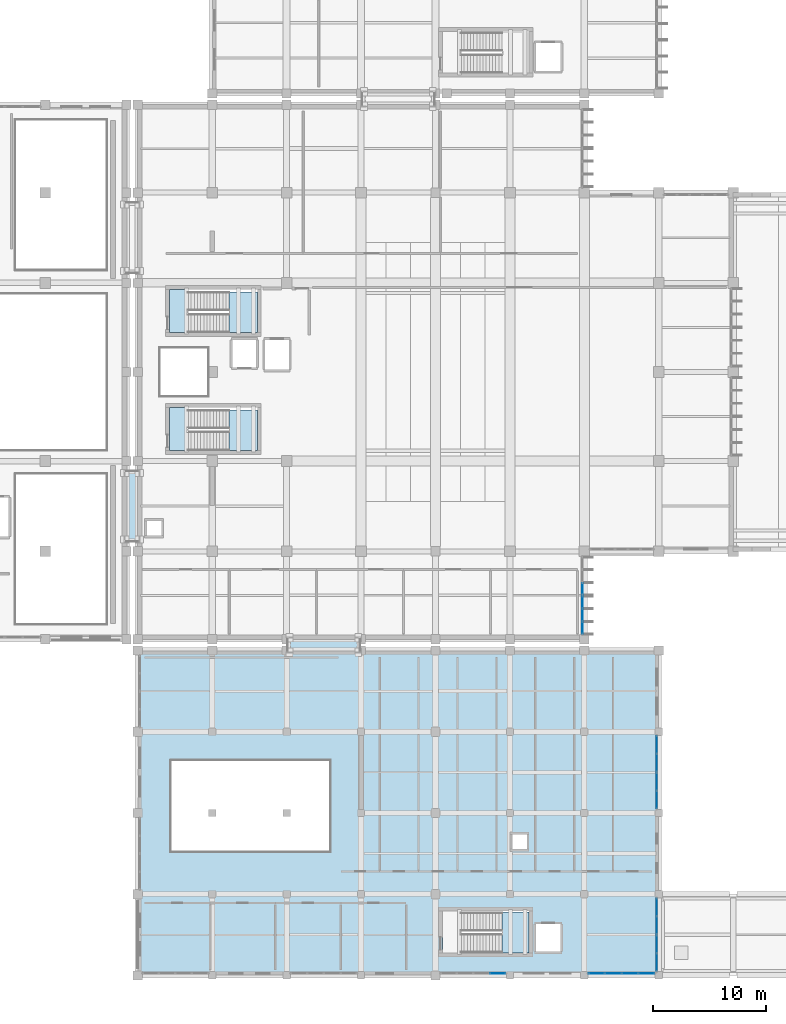
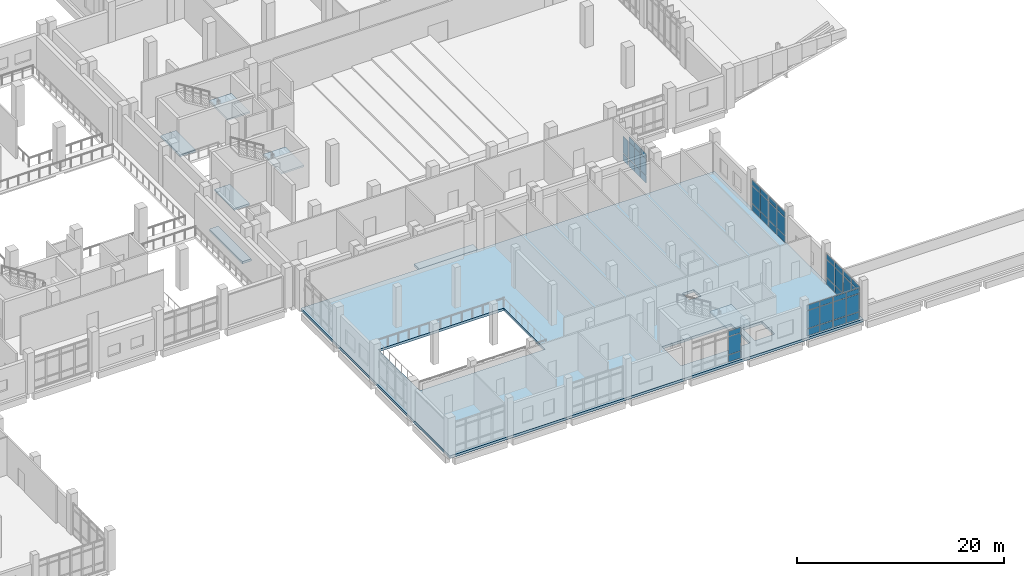
# One storey, part 52 of 90: 50 plates, 8 slabs, 11 elements without a shape of their own.
"""IFC4 building model written with IfcOpenShell, lengths in metres."""

from ifc_helpers import new_model, si_unit, direction, frame, origin, origin_2d, place, context, subcontext, project, spatial, polyline, rectangle, outline, extrude, material, layer, layer_set, type_object, element, aggregate, save


model = new_model("IFC4")

# Units and contexts
model_context = context("Model", 3, precision=1e-05, world=origin(), true_north=direction((0.0, 1.0)))
body_context = subcontext(model_context, "Body", "Model", "MODEL_VIEW")
ifc_project = project(units=[si_unit("LENGTHUNIT", "METRE"), si_unit("AREAUNIT", "SQUARE_METRE"), si_unit("VOLUMEUNIT", "CUBIC_METRE"), si_unit("PLANEANGLEUNIT", "RADIAN"), si_unit("MASSUNIT", "GRAM", prefix="KILO")], contexts=[model_context])

# Site, building, storey
site_placement = place(None, origin())
site = spatial("IfcSite", under=ifc_project, at=site_placement, CompositionType="ELEMENT")
building_placement = place(site_placement, origin())
building = spatial("IfcBuilding", under=site, at=building_placement, Name="Kelarvand Opera House", CompositionType="ELEMENT")
storey_placement = place(building_placement, frame((0.0, 0.0, 5.39990234375)))
storey = spatial("IfcBuildingStorey", under=building, at=storey_placement, Name="L01", CompositionType="ELEMENT", Elevation=5.39990234375)

# Curtain wall, plates
ifc_material_1 = material(Name="Thermally broken aluminium and low-E glazing", Category="aluminium")
ifc_layer_1 = layer(ifc_material_1, 0.219970703125, Name="Thermally broken aluminium and low-E glazing", Category="aluminium")
ifc_layer_set_1 = layer_set([ifc_layer_1], Name="Thermally broken aluminium and low-E glazing")
curtain_wall_type_1 = type_object("IfcCurtainWallType", Name="Unitised Low-E Curtain Wall 3444x3630 Mod 1150 CWF-02", PredefinedType="USERDEFINED", material=ifc_layer_set_1)
curtain_wall_1_placement = place(storey_placement, origin())
curtain_wall_1 = element("IfcCurtainWall", 1, at=curtain_wall_1_placement, inside=storey, type_object=curtain_wall_type_1, Name="V1 L01 Curtain Wall CWF-02 (13)", ObjectType="UNITISED CURTAIN WALL", PredefinedType="USERDEFINED")
ifc_material_2 = material(Name="Acoustic triple-laminated low-E glazing", Category="glass")
ifc_layer_2 = layer(ifc_material_2, 0.0400390625, Name="Acoustic triple-laminated low-E glazing", Category="glass")
ifc_layer_set_2 = layer_set([ifc_layer_2], Name="Acoustic triple-laminated low-E glazing")
plate_type_1 = type_object("IfcPlateType", Name="Acoustic Laminated Plaza Curtain Panel 40mm", PredefinedType="CURTAIN_PANEL", material=ifc_layer_set_2)
plate_1_placement = place(storey_placement, frame((128.419921875, 43.26416015625, 0.074951171875), z_axis=(0.0, 0.0, 1.0), x_axis=(0.0, -1.0, 0.0)))
plate_1 = element("IfcPlate", 2, at=plate_1_placement, type_object=plate_type_1, Name="CWF-02 panel 3.1", PredefinedType="CURTAIN_PANEL", context=body_context, shape_type="SweptSolid", body=[
    extrude(rectangle(XDim=1.035400390625, YDim=0.0400390625, at=origin_2d()), origin(), (0.0, 0.0, 1.0), 0.78759765625),
])
plate_2_placement = place(storey_placement, frame((128.419921875, 43.26416015625, 0.9375), z_axis=(0.0, 0.0, 1.0), x_axis=(0.0, -1.0, 0.0)))
plate_2 = element("IfcPlate", 3, at=plate_2_placement, type_object=plate_type_1, Name="CWF-02 panel 3.2", PredefinedType="CURTAIN_PANEL", context=body_context, shape_type="SweptSolid", body=[
    extrude(rectangle(XDim=1.035400390625, YDim=0.0400390625, at=origin_2d()), origin(), (0.0, 0.0, 1.0), 1.955078125),
])
aggregate(curtain_wall_1, [plate_1, plate_2])

curtain_wall_2_placement = place(storey_placement, origin())
curtain_wall_2 = element("IfcCurtainWall", 4, at=curtain_wall_2_placement, inside=storey, type_object=curtain_wall_type_1, Name="V1 L01 Curtain Wall CWF-02 (14)", ObjectType="UNITISED CURTAIN WALL", PredefinedType="USERDEFINED")
plate_3_placement = place(storey_placement, frame((128.419921875, 42.07421875, 0.074951171875), z_axis=(0.0, 0.0, 1.0), x_axis=(0.0, -1.0, 0.0)))
plate_3 = element("IfcPlate", 5, at=plate_3_placement, type_object=plate_type_1, Name="CWF-02 panel 1.1", PredefinedType="CURTAIN_PANEL", context=body_context, shape_type="SweptSolid", body=[
    extrude(rectangle(XDim=1.03662109375, YDim=0.0400390625, at=origin_2d()), origin(), (0.0, 0.0, 1.0), 0.78759765625),
])
plate_4_placement = place(storey_placement, frame((128.419921875, 42.07421875, 0.9375), z_axis=(0.0, 0.0, 1.0), x_axis=(0.0, -1.0, 0.0)))
plate_4 = element("IfcPlate", 6, at=plate_4_placement, type_object=plate_type_1, Name="CWF-02 panel 1.2", PredefinedType="CURTAIN_PANEL", context=body_context, shape_type="SweptSolid", body=[
    extrude(rectangle(XDim=1.03662109375, YDim=0.0400390625, at=origin_2d()), origin(), (0.0, 0.0, 1.0), 1.955078125),
])
plate_5_placement = place(storey_placement, frame((128.419921875, 42.07421875, 2.967529296875), z_axis=(0.0, 0.0, 1.0), x_axis=(0.0, -1.0, 0.0)))
plate_5 = element("IfcPlate", 7, at=plate_5_placement, type_object=plate_type_1, Name="CWF-02 panel 1.3", PredefinedType="CURTAIN_PANEL", context=body_context, shape_type="SweptSolid", body=[
    extrude(rectangle(XDim=1.03662109375, YDim=0.0400390625, at=origin_2d()), origin(), (0.0, 0.0, 1.0), 0.58740234375),
])
plate_6_placement = place(storey_placement, frame((128.419921875, 40.94384765625, 0.074951171875), z_axis=(0.0, 0.0, 1.0), x_axis=(0.0, -1.0, 0.0)))
plate_6 = element("IfcPlate", 8, at=plate_6_placement, type_object=plate_type_1, Name="CWF-02 panel 2.1", PredefinedType="CURTAIN_PANEL", context=body_context, shape_type="SweptSolid", body=[
    extrude(rectangle(XDim=1.07421875, YDim=0.0400390625, at=origin_2d()), origin(), (0.0, 0.0, 1.0), 0.78759765625),
])
plate_7_placement = place(storey_placement, frame((128.419921875, 40.94384765625, 0.9375), z_axis=(0.0, 0.0, 1.0), x_axis=(0.0, -1.0, 0.0)))
plate_7 = element("IfcPlate", 9, at=plate_7_placement, type_object=plate_type_1, Name="CWF-02 panel 2.2", PredefinedType="CURTAIN_PANEL", context=body_context, shape_type="SweptSolid", body=[
    extrude(rectangle(XDim=1.07421875, YDim=0.0400390625, at=origin_2d()), origin(), (0.0, 0.0, 1.0), 1.955078125),
])
plate_8_placement = place(storey_placement, frame((128.419921875, 40.94384765625, 2.967529296875), z_axis=(0.0, 0.0, 1.0), x_axis=(0.0, -1.0, 0.0)))
plate_8 = element("IfcPlate", 10, at=plate_8_placement, type_object=plate_type_1, Name="CWF-02 panel 2.3", PredefinedType="CURTAIN_PANEL", context=body_context, shape_type="SweptSolid", body=[
    extrude(rectangle(XDim=1.07421875, YDim=0.0400390625, at=origin_2d()), origin(), (0.0, 0.0, 1.0), 0.58740234375),
])
plate_9_placement = place(storey_placement, frame((128.419921875, 39.813232421875, 0.074951171875), z_axis=(0.0, 0.0, 1.0), x_axis=(0.0, -1.0, 0.0)))
plate_9 = element("IfcPlate", 11, at=plate_9_placement, type_object=plate_type_1, Name="CWF-02 panel 3.1", PredefinedType="CURTAIN_PANEL", context=body_context, shape_type="SweptSolid", body=[
    extrude(rectangle(XDim=1.03662109375, YDim=0.0400390625, at=origin_2d()), origin(), (0.0, 0.0, 1.0), 0.78759765625),
])
plate_10_placement = place(storey_placement, frame((128.419921875, 39.813232421875, 0.9375), z_axis=(0.0, 0.0, 1.0), x_axis=(0.0, -1.0, 0.0)))
plate_10 = element("IfcPlate", 12, at=plate_10_placement, type_object=plate_type_1, Name="CWF-02 panel 3.2", PredefinedType="CURTAIN_PANEL", context=body_context, shape_type="SweptSolid", body=[
    extrude(rectangle(XDim=1.03662109375, YDim=0.0400390625, at=origin_2d()), origin(), (0.0, 0.0, 1.0), 1.955078125),
])
plate_11_placement = place(storey_placement, frame((128.419921875, 39.813232421875, 2.967529296875), z_axis=(0.0, 0.0, 1.0), x_axis=(0.0, -1.0, 0.0)))
plate_11 = element("IfcPlate", 13, at=plate_11_placement, type_object=plate_type_1, Name="CWF-02 panel 3.3", PredefinedType="CURTAIN_PANEL", context=body_context, shape_type="SweptSolid", body=[
    extrude(rectangle(XDim=1.03662109375, YDim=0.0400390625, at=origin_2d()), origin(), (0.0, 0.0, 1.0), 0.58740234375),
])
aggregate(curtain_wall_2, [plate_3, plate_4, plate_5, plate_6, plate_7, plate_8, plate_9, plate_10, plate_11])

# Slabs
ifc_material_3 = material(Name="Concrete C35/45", Category="concrete")
ifc_layer_3 = layer(ifc_material_3, 0.219970703125, Name="Concrete C35/45", Category="concrete")
ifc_layer_set_3 = layer_set([ifc_layer_3], Name="Concrete C35/45")
slab_type_1 = type_object("IfcSlabType", Name="Core Stair Entry Landing Slab 220", PredefinedType="LANDING", material=ifc_layer_set_3)
slab_1_placement = place(storey_placement, frame((0.0, 0.0, -0.219970703125)))
element("IfcSlab", 14, at=slab_1_placement, inside=storey, type_object=slab_type_1, Name="C1 Stair Entry Landing L01", PredefinedType="LANDING", context=body_context, shape_type="SweptSolid", body=[
    extrude(outline(polyline([(91.800048828125, 66.0), (93.52001953125, 66.0), (93.52001953125, 69.800048828125), (91.800048828125, 69.800048828125), (91.800048828125, 66.0)])), origin(), (0.0, 0.0, 1.0), 0.219970703125),
])
slab_2_placement = place(storey_placement, frame((0.0, 0.0, -0.219970703125)))
element("IfcSlab", 15, at=slab_2_placement, inside=storey, type_object=slab_type_1, Name="C4 Stair Entry Landing L01", PredefinedType="LANDING", context=body_context, shape_type="SweptSolid", body=[
    extrude(outline(polyline([(91.800048828125, 55.550048828125), (93.52001953125, 55.550048828125), (93.52001953125, 59.35009765625), (91.800048828125, 59.35009765625), (91.800048828125, 55.550048828125)])), origin(), (0.0, 0.0, 1.0), 0.219970703125),
])

# Curtain wall, plates
ifc_layer_4 = layer(ifc_material_1, 0.179931640625, Name="Thermally broken aluminium and low-E glazing", Category="aluminium")
ifc_layer_set_4 = layer_set([ifc_layer_4], Name="Thermally broken aluminium and low-E glazing")
curtain_wall_type_2 = type_object("IfcCurtainWallType", Name="Unitised Low-E Curtain Wall 3261x3750 Mod 1350 CWF-26", PredefinedType="USERDEFINED", material=ifc_layer_set_4)
curtain_wall_3_placement = place(storey_placement, origin())
curtain_wall_3 = element("IfcCurtainWall", 16, at=curtain_wall_3_placement, inside=storey, type_object=curtain_wall_type_2, Name="V6 L01 Curtain Wall CWF-26 (205)", ObjectType="UNITISED CURTAIN WALL", PredefinedType="USERDEFINED")
ifc_material_4 = material(Name="Low-E laminated double glazing", Category="glass")
ifc_layer_5 = layer(ifc_material_4, 0.031982421875, Name="Low-E laminated double glazing", Category="glass")
ifc_layer_set_5 = layer_set([ifc_layer_5], Name="Low-E laminated double glazing")
plate_type_2 = type_object("IfcPlateType", Name="Low-E Argon Double Glazed Curtain Panel 32mm", PredefinedType="CURTAIN_PANEL", material=ifc_layer_set_5)
plate_12_placement = place(storey_placement, frame((135.02001953125, 29.43359375, 0.06494140625), z_axis=(0.0, 0.0, 1.0), x_axis=(0.0, -1.0, 0.0)))
plate_12 = element("IfcPlate", 17, at=plate_12_placement, type_object=plate_type_2, Name="CWF-26 panel 1.1", PredefinedType="CURTAIN_PANEL", context=body_context, shape_type="SweptSolid", body=[
    extrude(rectangle(XDim=1.532958984375, YDim=0.031982421875, at=origin_2d()), origin(), (0.0, 0.0, 1.0), 0.802490234375),
])
plate_13_placement = place(storey_placement, frame((135.02001953125, 29.43359375, 0.9326171875), z_axis=(0.0, 0.0, 1.0), x_axis=(0.0, -1.0, 0.0)))
plate_13 = element("IfcPlate", 18, at=plate_13_placement, type_object=plate_type_2, Name="CWF-26 panel 1.2", PredefinedType="CURTAIN_PANEL", context=body_context, shape_type="SweptSolid", body=[
    extrude(rectangle(XDim=1.532958984375, YDim=0.031982421875, at=origin_2d()), origin(), (0.0, 0.0, 1.0), 2.0849609375),
])
plate_14_placement = place(storey_placement, frame((135.02001953125, 29.43359375, 3.08251953125), z_axis=(0.0, 0.0, 1.0), x_axis=(0.0, -1.0, 0.0)))
plate_14 = element("IfcPlate", 19, at=plate_14_placement, type_object=plate_type_2, Name="CWF-26 panel 1.3", PredefinedType="CURTAIN_PANEL", context=body_context, shape_type="SweptSolid", body=[
    extrude(rectangle(XDim=1.532958984375, YDim=0.031982421875, at=origin_2d()), origin(), (0.0, 0.0, 1.0), 0.6025390625),
])
plate_15_placement = place(storey_placement, frame((135.02001953125, 27.83544921875, 0.06494140625), z_axis=(0.0, 0.0, 1.0), x_axis=(0.0, -1.0, 0.0)))
plate_15 = element("IfcPlate", 20, at=plate_15_placement, type_object=plate_type_2, Name="CWF-26 panel 2.1", PredefinedType="CURTAIN_PANEL", context=body_context, shape_type="SweptSolid", body=[
    extrude(rectangle(XDim=1.532958984375, YDim=0.031982421875, at=origin_2d()), origin(), (0.0, 0.0, 1.0), 0.802490234375),
])
plate_16_placement = place(storey_placement, frame((135.02001953125, 27.83544921875, 0.9326171875), z_axis=(0.0, 0.0, 1.0), x_axis=(0.0, -1.0, 0.0)))
plate_16 = element("IfcPlate", 21, at=plate_16_placement, type_object=plate_type_2, Name="CWF-26 panel 2.2", PredefinedType="CURTAIN_PANEL", context=body_context, shape_type="SweptSolid", body=[
    extrude(rectangle(XDim=1.532958984375, YDim=0.031982421875, at=origin_2d()), origin(), (0.0, 0.0, 1.0), 2.0849609375),
])
plate_17_placement = place(storey_placement, frame((135.02001953125, 27.83544921875, 3.08251953125), z_axis=(0.0, 0.0, 1.0), x_axis=(0.0, -1.0, 0.0)))
plate_17 = element("IfcPlate", 22, at=plate_17_placement, type_object=plate_type_2, Name="CWF-26 panel 2.3", PredefinedType="CURTAIN_PANEL", context=body_context, shape_type="SweptSolid", body=[
    extrude(rectangle(XDim=1.532958984375, YDim=0.031982421875, at=origin_2d()), origin(), (0.0, 0.0, 1.0), 0.6025390625),
])
aggregate(curtain_wall_3, [plate_12, plate_13, plate_14, plate_15, plate_16, plate_17])

curtain_wall_4_placement = place(storey_placement, origin())
curtain_wall_4 = element("IfcCurtainWall", 23, at=curtain_wall_4_placement, inside=storey, type_object=curtain_wall_type_2, Name="V6 L01 Curtain Wall CWF-26 (206)", ObjectType="UNITISED CURTAIN WALL", PredefinedType="USERDEFINED")
plate_18_placement = place(storey_placement, frame((135.02001953125, 26.16748046875, 0.06494140625), z_axis=(0.0, 0.0, 1.0), x_axis=(0.0, -1.0, 0.0)))
plate_18 = element("IfcPlate", 24, at=plate_18_placement, type_object=plate_type_2, Name="CWF-26 panel 1.1", PredefinedType="CURTAIN_PANEL", context=body_context, shape_type="SweptSolid", body=[
    extrude(rectangle(XDim=1.534912109375, YDim=0.031982421875, at=origin_2d()), origin(), (0.0, 0.0, 1.0), 0.802490234375),
])
plate_19_placement = place(storey_placement, frame((135.02001953125, 26.16748046875, 0.9326171875), z_axis=(0.0, 0.0, 1.0), x_axis=(0.0, -1.0, 0.0)))
plate_19 = element("IfcPlate", 25, at=plate_19_placement, type_object=plate_type_2, Name="CWF-26 panel 1.2", PredefinedType="CURTAIN_PANEL", context=body_context, shape_type="SweptSolid", body=[
    extrude(rectangle(XDim=1.534912109375, YDim=0.031982421875, at=origin_2d()), origin(), (0.0, 0.0, 1.0), 2.0849609375),
])
plate_20_placement = place(storey_placement, frame((135.02001953125, 26.16748046875, 3.08251953125), z_axis=(0.0, 0.0, 1.0), x_axis=(0.0, -1.0, 0.0)))
plate_20 = element("IfcPlate", 26, at=plate_20_placement, type_object=plate_type_2, Name="CWF-26 panel 1.3", PredefinedType="CURTAIN_PANEL", context=body_context, shape_type="SweptSolid", body=[
    extrude(rectangle(XDim=1.534912109375, YDim=0.031982421875, at=origin_2d()), origin(), (0.0, 0.0, 1.0), 0.6025390625),
])
plate_21_placement = place(storey_placement, frame((135.02001953125, 24.5673828125, 0.06494140625), z_axis=(0.0, 0.0, 1.0), x_axis=(0.0, -1.0, 0.0)))
plate_21 = element("IfcPlate", 27, at=plate_21_placement, type_object=plate_type_2, Name="CWF-26 panel 2.1", PredefinedType="CURTAIN_PANEL", context=body_context, shape_type="SweptSolid", body=[
    extrude(rectangle(XDim=1.534912109375, YDim=0.031982421875, at=origin_2d()), origin(), (0.0, 0.0, 1.0), 0.802490234375),
])
plate_22_placement = place(storey_placement, frame((135.02001953125, 24.5673828125, 0.9326171875), z_axis=(0.0, 0.0, 1.0), x_axis=(0.0, -1.0, 0.0)))
plate_22 = element("IfcPlate", 28, at=plate_22_placement, type_object=plate_type_2, Name="CWF-26 panel 2.2", PredefinedType="CURTAIN_PANEL", context=body_context, shape_type="SweptSolid", body=[
    extrude(rectangle(XDim=1.534912109375, YDim=0.031982421875, at=origin_2d()), origin(), (0.0, 0.0, 1.0), 2.0849609375),
])
plate_23_placement = place(storey_placement, frame((135.02001953125, 24.5673828125, 3.08251953125), z_axis=(0.0, 0.0, 1.0), x_axis=(0.0, -1.0, 0.0)))
plate_23 = element("IfcPlate", 29, at=plate_23_placement, type_object=plate_type_2, Name="CWF-26 panel 2.3", PredefinedType="CURTAIN_PANEL", context=body_context, shape_type="SweptSolid", body=[
    extrude(rectangle(XDim=1.534912109375, YDim=0.031982421875, at=origin_2d()), origin(), (0.0, 0.0, 1.0), 0.6025390625),
])
aggregate(curtain_wall_4, [plate_18, plate_19, plate_20, plate_21, plate_22, plate_23])

curtain_wall_5_placement = place(storey_placement, origin())
curtain_wall_5 = element("IfcCurtainWall", 30, at=curtain_wall_5_placement, inside=storey, type_object=curtain_wall_type_2, Name="V6 L01 Curtain Wall CWF-26 (207)", ObjectType="UNITISED CURTAIN WALL", PredefinedType="USERDEFINED")
plate_24_placement = place(storey_placement, frame((135.02001953125, 15.033447265625, 0.06494140625), z_axis=(0.0, 0.0, 1.0), x_axis=(0.0, -1.0, 0.0)))
plate_24 = element("IfcPlate", 31, at=plate_24_placement, type_object=plate_type_2, Name="CWF-26 panel 1.1", PredefinedType="CURTAIN_PANEL", context=body_context, shape_type="SweptSolid", body=[
    extrude(rectangle(XDim=1.532958984375, YDim=0.031982421875, at=origin_2d()), origin(), (0.0, 0.0, 1.0), 0.802490234375),
])
plate_25_placement = place(storey_placement, frame((135.02001953125, 15.033447265625, 0.9326171875), z_axis=(0.0, 0.0, 1.0), x_axis=(0.0, -1.0, 0.0)))
plate_25 = element("IfcPlate", 32, at=plate_25_placement, type_object=plate_type_2, Name="CWF-26 panel 1.2", PredefinedType="CURTAIN_PANEL", context=body_context, shape_type="SweptSolid", body=[
    extrude(rectangle(XDim=1.532958984375, YDim=0.031982421875, at=origin_2d()), origin(), (0.0, 0.0, 1.0), 2.0849609375),
])
plate_26_placement = place(storey_placement, frame((135.02001953125, 15.033447265625, 3.08251953125), z_axis=(0.0, 0.0, 1.0), x_axis=(0.0, -1.0, 0.0)))
plate_26 = element("IfcPlate", 33, at=plate_26_placement, type_object=plate_type_2, Name="CWF-26 panel 1.3", PredefinedType="CURTAIN_PANEL", context=body_context, shape_type="SweptSolid", body=[
    extrude(rectangle(XDim=1.532958984375, YDim=0.031982421875, at=origin_2d()), origin(), (0.0, 0.0, 1.0), 0.6025390625),
])
plate_27_placement = place(storey_placement, frame((135.02001953125, 13.435546875, 0.06494140625), z_axis=(0.0, 0.0, 1.0), x_axis=(0.0, -1.0, 0.0)))
plate_27 = element("IfcPlate", 34, at=plate_27_placement, type_object=plate_type_2, Name="CWF-26 panel 2.1", PredefinedType="CURTAIN_PANEL", context=body_context, shape_type="SweptSolid", body=[
    extrude(rectangle(XDim=1.532958984375, YDim=0.031982421875, at=origin_2d()), origin(), (0.0, 0.0, 1.0), 0.802490234375),
])
plate_28_placement = place(storey_placement, frame((135.02001953125, 13.435546875, 0.9326171875), z_axis=(0.0, 0.0, 1.0), x_axis=(0.0, -1.0, 0.0)))
plate_28 = element("IfcPlate", 35, at=plate_28_placement, type_object=plate_type_2, Name="CWF-26 panel 2.2", PredefinedType="CURTAIN_PANEL", context=body_context, shape_type="SweptSolid", body=[
    extrude(rectangle(XDim=1.532958984375, YDim=0.031982421875, at=origin_2d()), origin(), (0.0, 0.0, 1.0), 2.0849609375),
])
plate_29_placement = place(storey_placement, frame((135.02001953125, 13.435546875, 3.08251953125), z_axis=(0.0, 0.0, 1.0), x_axis=(0.0, -1.0, 0.0)))
plate_29 = element("IfcPlate", 36, at=plate_29_placement, type_object=plate_type_2, Name="CWF-26 panel 2.3", PredefinedType="CURTAIN_PANEL", context=body_context, shape_type="SweptSolid", body=[
    extrude(rectangle(XDim=1.532958984375, YDim=0.031982421875, at=origin_2d()), origin(), (0.0, 0.0, 1.0), 0.6025390625),
])
aggregate(curtain_wall_5, [plate_24, plate_25, plate_26, plate_27, plate_28, plate_29])

curtain_wall_6_placement = place(storey_placement, origin())
curtain_wall_6 = element("IfcCurtainWall", 37, at=curtain_wall_6_placement, inside=storey, type_object=curtain_wall_type_2, Name="V6 L01 Curtain Wall CWF-26 (208)", ObjectType="UNITISED CURTAIN WALL", PredefinedType="USERDEFINED")
plate_30_placement = place(storey_placement, frame((135.02001953125, 11.767578125, 0.06494140625), z_axis=(0.0, 0.0, 1.0), x_axis=(0.0, -1.0, 0.0)))
plate_30 = element("IfcPlate", 38, at=plate_30_placement, type_object=plate_type_2, Name="CWF-26 panel 1.1", PredefinedType="CURTAIN_PANEL", context=body_context, shape_type="SweptSolid", body=[
    extrude(rectangle(XDim=1.534912109375, YDim=0.031982421875, at=origin_2d()), origin(), (0.0, 0.0, 1.0), 0.802490234375),
])
plate_31_placement = place(storey_placement, frame((135.02001953125, 11.767578125, 0.9326171875), z_axis=(0.0, 0.0, 1.0), x_axis=(0.0, -1.0, 0.0)))
plate_31 = element("IfcPlate", 39, at=plate_31_placement, type_object=plate_type_2, Name="CWF-26 panel 1.2", PredefinedType="CURTAIN_PANEL", context=body_context, shape_type="SweptSolid", body=[
    extrude(rectangle(XDim=1.534912109375, YDim=0.031982421875, at=origin_2d()), origin(), (0.0, 0.0, 1.0), 2.0849609375),
])
plate_32_placement = place(storey_placement, frame((135.02001953125, 11.767578125, 3.08251953125), z_axis=(0.0, 0.0, 1.0), x_axis=(0.0, -1.0, 0.0)))
plate_32 = element("IfcPlate", 40, at=plate_32_placement, type_object=plate_type_2, Name="CWF-26 panel 1.3", PredefinedType="CURTAIN_PANEL", context=body_context, shape_type="SweptSolid", body=[
    extrude(rectangle(XDim=1.534912109375, YDim=0.031982421875, at=origin_2d()), origin(), (0.0, 0.0, 1.0), 0.6025390625),
])
plate_33_placement = place(storey_placement, frame((135.02001953125, 10.16748046875, 0.06494140625), z_axis=(0.0, 0.0, 1.0), x_axis=(0.0, -1.0, 0.0)))
plate_33 = element("IfcPlate", 41, at=plate_33_placement, type_object=plate_type_2, Name="CWF-26 panel 2.1", PredefinedType="CURTAIN_PANEL", context=body_context, shape_type="SweptSolid", body=[
    extrude(rectangle(XDim=1.534912109375, YDim=0.031982421875, at=origin_2d()), origin(), (0.0, 0.0, 1.0), 0.802490234375),
])
plate_34_placement = place(storey_placement, frame((135.02001953125, 10.16748046875, 0.9326171875), z_axis=(0.0, 0.0, 1.0), x_axis=(0.0, -1.0, 0.0)))
plate_34 = element("IfcPlate", 42, at=plate_34_placement, type_object=plate_type_2, Name="CWF-26 panel 2.2", PredefinedType="CURTAIN_PANEL", context=body_context, shape_type="SweptSolid", body=[
    extrude(rectangle(XDim=1.534912109375, YDim=0.031982421875, at=origin_2d()), origin(), (0.0, 0.0, 1.0), 2.0849609375),
])
plate_35_placement = place(storey_placement, frame((135.02001953125, 10.16748046875, 3.08251953125), z_axis=(0.0, 0.0, 1.0), x_axis=(0.0, -1.0, 0.0)))
plate_35 = element("IfcPlate", 43, at=plate_35_placement, type_object=plate_type_2, Name="CWF-26 panel 2.3", PredefinedType="CURTAIN_PANEL", context=body_context, shape_type="SweptSolid", body=[
    extrude(rectangle(XDim=1.534912109375, YDim=0.031982421875, at=origin_2d()), origin(), (0.0, 0.0, 1.0), 0.6025390625),
])
aggregate(curtain_wall_6, [plate_30, plate_31, plate_32, plate_33, plate_34, plate_35])

ifc_layer_6 = layer(ifc_material_1, 0.179931640625, Name="Thermally broken aluminium and low-E glazing", Category="aluminium")
ifc_layer_set_6 = layer_set([ifc_layer_6], Name="Thermally broken aluminium and low-E glazing")
curtain_wall_type_3 = type_object("IfcCurtainWallType", Name="Unitised Low-E Curtain Wall 5930x3750 Mod 1350 CWF-55", PredefinedType="USERDEFINED", material=ifc_layer_set_6)
curtain_wall_7_placement = place(storey_placement, origin())
curtain_wall_7 = element("IfcCurtainWall", 44, at=curtain_wall_7_placement, inside=storey, type_object=curtain_wall_type_3, Name="V6 L01 Curtain Wall CWF-55 (213)", ObjectType="UNITISED CURTAIN WALL", PredefinedType="USERDEFINED")
plate_36_placement = place(storey_placement, frame((134.107421875, 9.179931640625, 0.06494140625), z_axis=(0.0, 0.0, 1.0), x_axis=(-1.0, 0.0, 0.0)))
plate_36 = element("IfcPlate", 45, at=plate_36_placement, type_object=plate_type_2, Name="CWF-55 panel 1.1", PredefinedType="CURTAIN_PANEL", context=body_context, shape_type="SweptSolid", body=[
    extrude(rectangle(XDim=1.385009765625, YDim=0.031982421875, at=origin_2d()), origin(), (0.0, 0.0, 1.0), 0.802490234375),
])
plate_37_placement = place(storey_placement, frame((134.107421875, 9.179931640625, 0.9326171875), z_axis=(0.0, 0.0, 1.0), x_axis=(-1.0, 0.0, 0.0)))
plate_37 = element("IfcPlate", 46, at=plate_37_placement, type_object=plate_type_2, Name="CWF-55 panel 1.2", PredefinedType="CURTAIN_PANEL", context=body_context, shape_type="SweptSolid", body=[
    extrude(rectangle(XDim=1.385009765625, YDim=0.031982421875, at=origin_2d()), origin(), (0.0, 0.0, 1.0), 2.0849609375),
])
plate_38_placement = place(storey_placement, frame((134.107421875, 9.179931640625, 3.08251953125), z_axis=(0.0, 0.0, 1.0), x_axis=(-1.0, 0.0, 0.0)))
plate_38 = element("IfcPlate", 47, at=plate_38_placement, type_object=plate_type_2, Name="CWF-55 panel 1.3", PredefinedType="CURTAIN_PANEL", context=body_context, shape_type="SweptSolid", body=[
    extrude(rectangle(XDim=1.385009765625, YDim=0.031982421875, at=origin_2d()), origin(), (0.0, 0.0, 1.0), 0.6025390625),
])
plate_39_placement = place(storey_placement, frame((132.641357421875, 9.179931640625, 0.06494140625), z_axis=(0.0, 0.0, 1.0), x_axis=(-1.0, 0.0, 0.0)))
plate_39 = element("IfcPlate", 48, at=plate_39_placement, type_object=plate_type_2, Name="CWF-55 panel 2.1", PredefinedType="CURTAIN_PANEL", context=body_context, shape_type="SweptSolid", body=[
    extrude(rectangle(XDim=1.41748046875, YDim=0.031982421875, at=origin_2d()), origin(), (0.0, 0.0, 1.0), 0.802490234375),
])
plate_40_placement = place(storey_placement, frame((132.641357421875, 9.179931640625, 0.9326171875), z_axis=(0.0, 0.0, 1.0), x_axis=(-1.0, 0.0, 0.0)))
plate_40 = element("IfcPlate", 49, at=plate_40_placement, type_object=plate_type_2, Name="CWF-55 panel 2.2", PredefinedType="CURTAIN_PANEL", context=body_context, shape_type="SweptSolid", body=[
    extrude(rectangle(XDim=1.41748046875, YDim=0.031982421875, at=origin_2d()), origin(), (0.0, 0.0, 1.0), 2.0849609375),
])
plate_41_placement = place(storey_placement, frame((132.641357421875, 9.179931640625, 3.08251953125), z_axis=(0.0, 0.0, 1.0), x_axis=(-1.0, 0.0, 0.0)))
plate_41 = element("IfcPlate", 50, at=plate_41_placement, type_object=plate_type_2, Name="CWF-55 panel 2.3", PredefinedType="CURTAIN_PANEL", context=body_context, shape_type="SweptSolid", body=[
    extrude(rectangle(XDim=1.41748046875, YDim=0.031982421875, at=origin_2d()), origin(), (0.0, 0.0, 1.0), 0.6025390625),
])
plate_42_placement = place(storey_placement, frame((131.15869140625, 9.179931640625, 0.06494140625), z_axis=(0.0, 0.0, 1.0), x_axis=(-1.0, 0.0, 0.0)))
plate_42 = element("IfcPlate", 51, at=plate_42_placement, type_object=plate_type_2, Name="CWF-55 panel 3.1", PredefinedType="CURTAIN_PANEL", context=body_context, shape_type="SweptSolid", body=[
    extrude(rectangle(XDim=1.41748046875, YDim=0.031982421875, at=origin_2d()), origin(), (0.0, 0.0, 1.0), 0.802490234375),
])
plate_43_placement = place(storey_placement, frame((131.15869140625, 9.179931640625, 0.9326171875), z_axis=(0.0, 0.0, 1.0), x_axis=(-1.0, 0.0, 0.0)))
plate_43 = element("IfcPlate", 52, at=plate_43_placement, type_object=plate_type_2, Name="CWF-55 panel 3.2", PredefinedType="CURTAIN_PANEL", context=body_context, shape_type="SweptSolid", body=[
    extrude(rectangle(XDim=1.41748046875, YDim=0.031982421875, at=origin_2d()), origin(), (0.0, 0.0, 1.0), 2.0849609375),
])
plate_44_placement = place(storey_placement, frame((131.15869140625, 9.179931640625, 3.08251953125), z_axis=(0.0, 0.0, 1.0), x_axis=(-1.0, 0.0, 0.0)))
plate_44 = element("IfcPlate", 53, at=plate_44_placement, type_object=plate_type_2, Name="CWF-55 panel 3.3", PredefinedType="CURTAIN_PANEL", context=body_context, shape_type="SweptSolid", body=[
    extrude(rectangle(XDim=1.41748046875, YDim=0.031982421875, at=origin_2d()), origin(), (0.0, 0.0, 1.0), 0.6025390625),
])
plate_45_placement = place(storey_placement, frame((129.6923828125, 9.179931640625, 0.06494140625), z_axis=(0.0, 0.0, 1.0), x_axis=(-1.0, 0.0, 0.0)))
plate_45 = element("IfcPlate", 54, at=plate_45_placement, type_object=plate_type_2, Name="CWF-55 panel 4.1", PredefinedType="CURTAIN_PANEL", context=body_context, shape_type="SweptSolid", body=[
    extrude(rectangle(XDim=1.385009765625, YDim=0.031982421875, at=origin_2d()), origin(), (0.0, 0.0, 1.0), 0.802490234375),
])
plate_46_placement = place(storey_placement, frame((129.6923828125, 9.179931640625, 0.9326171875), z_axis=(0.0, 0.0, 1.0), x_axis=(-1.0, 0.0, 0.0)))
plate_46 = element("IfcPlate", 55, at=plate_46_placement, type_object=plate_type_2, Name="CWF-55 panel 4.2", PredefinedType="CURTAIN_PANEL", context=body_context, shape_type="SweptSolid", body=[
    extrude(rectangle(XDim=1.385009765625, YDim=0.031982421875, at=origin_2d()), origin(), (0.0, 0.0, 1.0), 2.0849609375),
])
plate_47_placement = place(storey_placement, frame((129.6923828125, 9.179931640625, 3.08251953125), z_axis=(0.0, 0.0, 1.0), x_axis=(-1.0, 0.0, 0.0)))
plate_47 = element("IfcPlate", 56, at=plate_47_placement, type_object=plate_type_2, Name="CWF-55 panel 4.3", PredefinedType="CURTAIN_PANEL", context=body_context, shape_type="SweptSolid", body=[
    extrude(rectangle(XDim=1.385009765625, YDim=0.031982421875, at=origin_2d()), origin(), (0.0, 0.0, 1.0), 0.6025390625),
])
aggregate(curtain_wall_7, [plate_36, plate_37, plate_38, plate_39, plate_40, plate_41, plate_42, plate_43, plate_44, plate_45, plate_46, plate_47])

ifc_layer_7 = layer(ifc_material_1, 0.179931640625, Name="Thermally broken aluminium and low-E glazing", Category="aluminium")
ifc_layer_set_7 = layer_set([ifc_layer_7], Name="Thermally broken aluminium and low-E glazing")
curtain_wall_type_4 = type_object("IfcCurtainWallType", Name="Unitised Low-E Curtain Wall 5845x3750 Mod 1350 CWF-56", PredefinedType="USERDEFINED", material=ifc_layer_set_7)
curtain_wall_8_placement = place(storey_placement, origin())
curtain_wall_8 = element("IfcCurtainWall", 57, at=curtain_wall_8_placement, inside=storey, type_object=curtain_wall_type_4, Name="V6 L01 Curtain Wall CWF-56 (214)", ObjectType="UNITISED CURTAIN WALL", PredefinedType="USERDEFINED")
plate_48_placement = place(storey_placement, frame((120.918212890625, 9.179931640625, 0.06494140625), z_axis=(0.0, 0.0, 1.0), x_axis=(-1.0, 0.0, 0.0)))
plate_48 = element("IfcPlate", 58, at=plate_48_placement, type_object=plate_type_2, Name="CWF-56 panel 1.1", PredefinedType="CURTAIN_PANEL", context=body_context, shape_type="SweptSolid", body=[
    extrude(rectangle(XDim=1.36376953125, YDim=0.031982421875, at=origin_2d()), origin(), (0.0, 0.0, 1.0), 0.802490234375),
])
plate_49_placement = place(storey_placement, frame((120.918212890625, 9.179931640625, 0.9326171875), z_axis=(0.0, 0.0, 1.0), x_axis=(-1.0, 0.0, 0.0)))
plate_49 = element("IfcPlate", 59, at=plate_49_placement, type_object=plate_type_2, Name="CWF-56 panel 1.2", PredefinedType="CURTAIN_PANEL", context=body_context, shape_type="SweptSolid", body=[
    extrude(rectangle(XDim=1.36376953125, YDim=0.031982421875, at=origin_2d()), origin(), (0.0, 0.0, 1.0), 2.0849609375),
])
plate_50_placement = place(storey_placement, frame((120.918212890625, 9.179931640625, 3.08251953125), z_axis=(0.0, 0.0, 1.0), x_axis=(-1.0, 0.0, 0.0)))
plate_50 = element("IfcPlate", 60, at=plate_50_placement, type_object=plate_type_2, Name="CWF-56 panel 1.3", PredefinedType="CURTAIN_PANEL", context=body_context, shape_type="SweptSolid", body=[
    extrude(rectangle(XDim=1.36376953125, YDim=0.031982421875, at=origin_2d()), origin(), (0.0, 0.0, 1.0), 0.6025390625),
])
aggregate(curtain_wall_8, [plate_48, plate_49, plate_50])

# Stair, slab
stair_type = type_object("IfcStairType", Name="Dogleg Concrete Exit Stair 1660mm 28R STA-01", PredefinedType="HALF_TURN_STAIR", material=ifc_material_3)
stair_1_placement = place(storey_placement, origin())
stair_1 = element("IfcStair", 61, at=stair_1_placement, inside=storey, type_object=stair_type, Name="L01 Auditorium North Firefighting and Public Core C1 Stair ST-01", PredefinedType="HALF_TURN_STAIR")
ifc_layer_8 = layer(ifc_material_3, 0.199951171875, Name="Concrete C35/45", Category="concrete")
ifc_layer_set_8 = layer_set([ifc_layer_8], Name="Concrete C35/45")
slab_type_2 = type_object("IfcSlabType", Name="Precast Stair Half-Landing Slab 200", PredefinedType="LANDING", material=ifc_layer_set_8)
slab_3_placement = place(storey_placement, frame((0.0, 0.0, 2.2001953125)))
slab_3 = element("IfcSlab", 62, at=slab_3_placement, type_object=slab_type_2, Name="ST-01 landing 1", PredefinedType="LANDING", context=body_context, shape_type="SweptSolid", body=[
    extrude(outline(polyline([(97.10009765625, 66.0), (99.60009765625, 66.0), (99.60009765625, 69.60009765625), (97.10009765625, 69.60009765625), (97.10009765625, 66.0)])), origin(), (0.0, 0.0, 1.0), 0.199951171875),
])
aggregate(stair_1, [slab_3])

stair_2_placement = place(storey_placement, origin())
stair_2 = element("IfcStair", 63, at=stair_2_placement, inside=storey, type_object=stair_type, Name="L01 Auditorium South Foyer Core C4 Stair ST-04", PredefinedType="HALF_TURN_STAIR")
slab_4_placement = place(storey_placement, frame((0.0, 0.0, 2.2001953125)))
slab_4 = element("IfcSlab", 64, at=slab_4_placement, type_object=slab_type_2, Name="ST-04 landing 1", PredefinedType="LANDING", context=body_context, shape_type="SweptSolid", body=[
    extrude(outline(polyline([(97.10009765625, 55.550048828125), (99.60009765625, 55.550048828125), (99.60009765625, 59.14990234375), (97.10009765625, 59.14990234375), (97.10009765625, 55.550048828125)])), origin(), (0.0, 0.0, 1.0), 0.199951171875),
])
aggregate(stair_2, [slab_4])

stair_3_placement = place(storey_placement, origin())
stair_3 = element("IfcStair", 65, at=stair_3_placement, inside=storey, type_object=stair_type, Name="L01 South Dressing and Production Core C8 Stair ST-08", PredefinedType="HALF_TURN_STAIR")
slab_5_placement = place(storey_placement, frame((0.0, 0.0, 2.2001953125)))
slab_5 = element("IfcSlab", 66, at=slab_5_placement, type_object=slab_type_2, Name="ST-08 landing 1", PredefinedType="LANDING", context=body_context, shape_type="SweptSolid", body=[
    extrude(outline(polyline([(121.300048828125, 11.0), (123.699951171875, 11.0), (123.699951171875, 14.60009765625), (121.300048828125, 14.60009765625), (121.300048828125, 11.0)])), origin(), (0.0, 0.0, 1.0), 0.199951171875),
])
aggregate(stair_3, [slab_5])

# Slabs
ifc_layer_9 = layer(ifc_material_3, 0.260009765625, Name="Concrete C35/45", Category="concrete")
ifc_layer_set_9 = layer_set([ifc_layer_9], Name="Concrete C35/45")
slab_type_3 = type_object("IfcSlabType", Name="Seismic Bridge Deck Slab 260", PredefinedType="FLOOR", material=ifc_layer_set_9)
slab_6_placement = place(storey_placement, frame((0.0, 0.0, -0.260009765625)))
element("IfcSlab", 67, at=slab_6_placement, inside=storey, type_object=slab_type_3, Name="Seismic Joint Sliding Bridge BR-JP-S L01", PredefinedType="FLOOR", context=body_context, shape_type="SweptSolid", body=[
    extrude(outline(polyline([(88.0, 47.39990234375), (89.0, 47.39990234375), (89.0, 53.800048828125), (88.0, 53.800048828125), (88.0, 47.39990234375)])), origin(), (0.0, 0.0, 1.0), 0.260009765625),
])
slab_7_placement = place(storey_placement, frame((0.0, 0.0, -0.260009765625)))
element("IfcSlab", 68, at=slab_7_placement, inside=storey, type_object=slab_type_3, Name="Seismic Joint Sliding Bridge BR-JS-E L01", PredefinedType="FLOOR", context=body_context, shape_type="SweptSolid", body=[
    extrude(outline(polyline([(102.199951171875, 37.800048828125), (108.800048828125, 37.800048828125), (108.800048828125, 38.800048828125), (102.199951171875, 38.800048828125), (102.199951171875, 37.800048828125)])), origin(), (0.0, 0.0, 1.0), 0.260009765625),
])
ifc_layer_10 = layer(ifc_material_3, 0.300048828125, Name="Concrete C35/45", Category="concrete")
ifc_layer_set_10 = layer_set([ifc_layer_10], Name="Concrete C35/45")
slab_type_4 = type_object("IfcSlabType", Name="Suspended Floor Slab 300", PredefinedType="FLOOR", material=ifc_layer_set_10)
slab_8_placement = place(storey_placement, frame((0.0, 0.0, -0.2998046875)))
element("IfcSlab", 69, at=slab_8_placement, inside=storey, type_object=slab_type_4, Name="V6 L01 Structural Slab 41", PredefinedType="FLOOR", context=body_context, shape_type="SweptSolid", body=[
    extrude(outline(polyline([(135.199951171875, 9.0), (135.199951171875, 37.800048828125), (89.0, 37.800048828125), (89.0, 9.0), (135.199951171875, 9.0)]), holes=[polyline([(124.300048828125, 13.550048828125), (126.5, 13.550048828125), (126.5, 11.10009765625), (124.300048828125, 11.10009765625), (124.300048828125, 13.550048828125)]), polyline([(116.0, 14.699951171875), (123.699951171875, 14.699951171875), (123.699951171875, 11.0), (116.0, 11.0), (116.0, 14.699951171875)]), polyline([(122.199951171875, 21.5), (123.5, 21.5), (123.5, 20.199951171875), (122.199951171875, 20.199951171875), (122.199951171875, 21.5)]), polyline([(92.0, 28.0), (106.0, 28.0), (106.0, 20.0), (92.0, 20.0), (92.0, 28.0)])]), origin(), (0.0, 0.0, 1.0), 0.2998046875),
])

save(model, "model.ifc")
